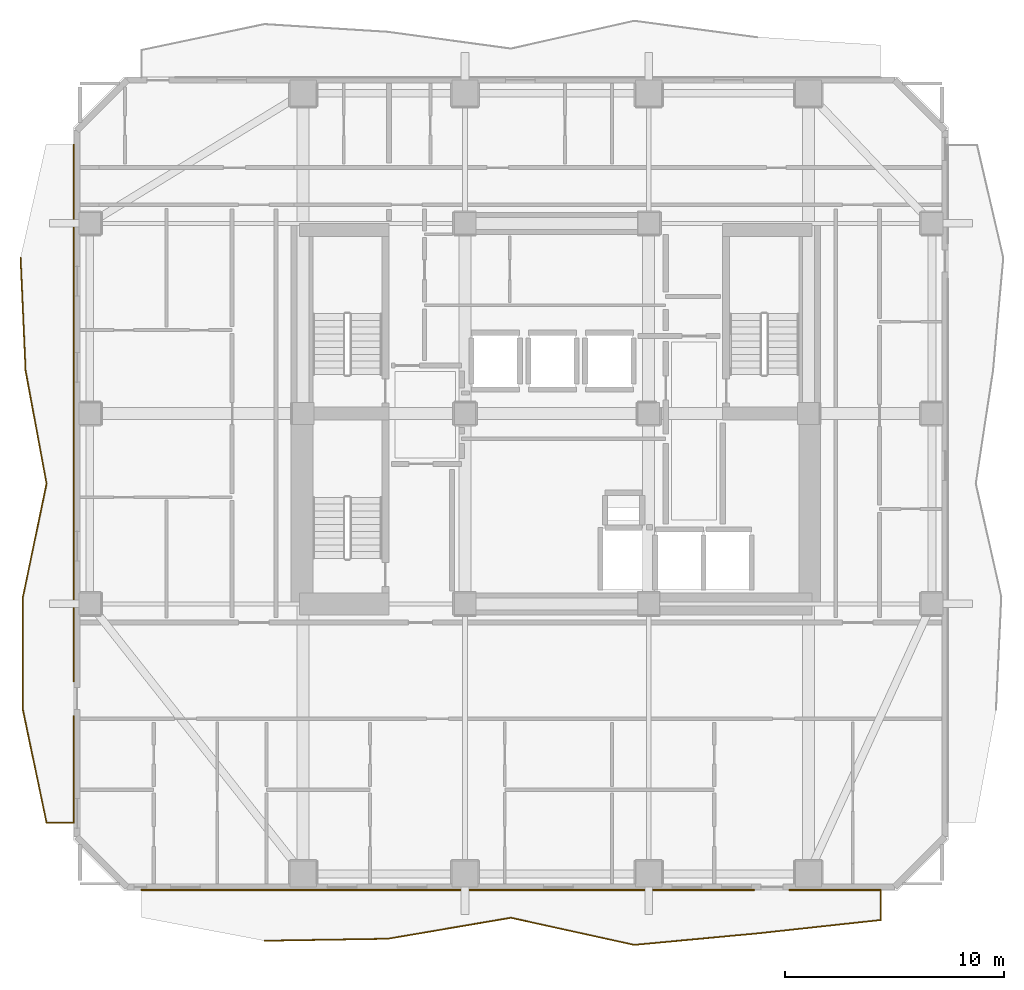
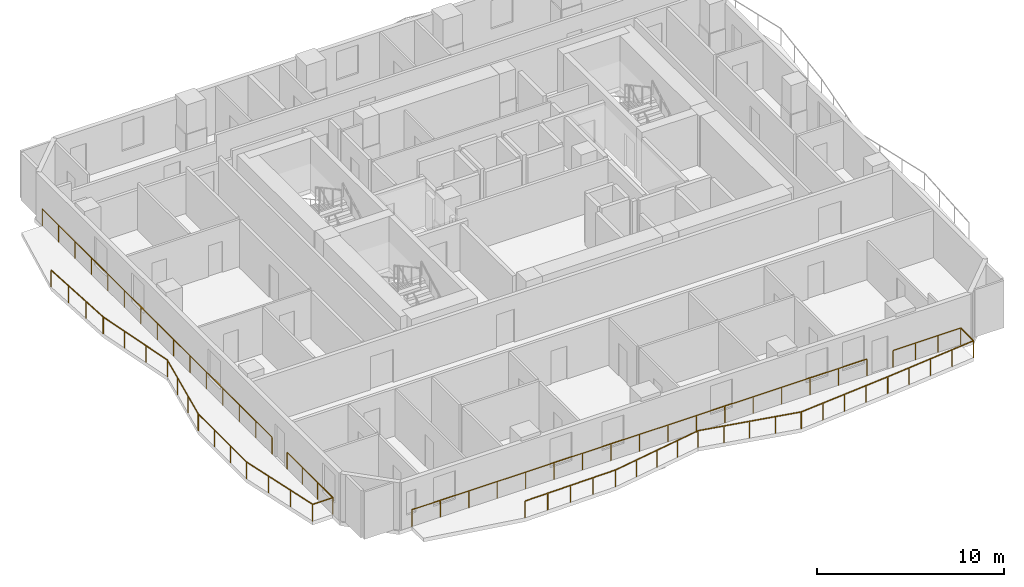
# One storey, part 8 of 11: 4 railings.
"""IFC4 building model written with IfcOpenShell, lengths in metres."""

from ifc_helpers import new_model, si_unit, direction, frame, origin, origin_2d, place, context, subcontext, project, spatial, rectangle, extrude, material, type_object, element, save


model = new_model("IFC4")

# Units and contexts
model_context = context("Model", 3, precision=1e-05, world=origin(), true_north=direction((0.0, 1.0)))
body_context = subcontext(model_context, "Body", "Model", "MODEL_VIEW")
ifc_project = project(units=[si_unit("LENGTHUNIT", "METRE"), si_unit("AREAUNIT", "SQUARE_METRE"), si_unit("VOLUMEUNIT", "CUBIC_METRE"), si_unit("PLANEANGLEUNIT", "RADIAN"), si_unit("MASSUNIT", "GRAM", prefix="KILO")], contexts=[model_context])

# Site, building, storey
site_placement = place(None, origin())
site = spatial("IfcSite", under=ifc_project, at=site_placement, CompositionType="ELEMENT")
building_placement = place(site_placement, origin())
building = spatial("IfcBuilding", under=site, at=building_placement, Name="Solanera Arch Residences", CompositionType="ELEMENT")
storey_placement = place(building_placement, frame((0.0, 0.0, 112.719970703125)))
storey = spatial("IfcBuildingStorey", under=building, at=storey_placement, Name="L32", CompositionType="ELEMENT", Elevation=112.719970703125)

# Railings
ifc_material = material(Name="Steel S355 (ASTM A992 / A572 Grade 50)", Category="steel")
railing_type = type_object("IfcRailingType", Name="Balustrade Railing BL-1100", PredefinedType="BALUSTRADE", material=ifc_material)
railing_1_placement = place(storey_placement, frame((11.633056640625, 6.596923828125, 0.0)))
element("IfcRailing", 1, at=railing_1_placement, inside=storey, type_object=railing_type, Name="L32 S Balcony Balustrade 1", PredefinedType="BALUSTRADE", context=body_context, shape_type="SweptSolid", body=[
    extrude(rectangle(XDim=0.048095703125, YDim=0.048095703125, at=origin_2d()), frame((0.0, 0.0, 1.09619140625), z_axis=(0.999869399788, 0.016161168528, 0.0), x_axis=(-0.016161168528, 0.999869399788, 0.0)), (0.0, 0.0, 1.0), 5.634765625),
    extrude(rectangle(XDim=0.048095703125, YDim=0.048095703125, at=origin_2d()), frame((5.634033203125, 0.091064453125, 1.09619140625), z_axis=(0.985786862703, 0.168000777746, 0.0), x_axis=(-0.168000777746, 0.985786862703, 0.0)), (0.0, 0.0, 1.0), 5.714111328125),
    extrude(rectangle(XDim=0.048095703125, YDim=0.048095703125, at=origin_2d()), frame((11.266845703125, 1.051025390625, 1.09619140625), z_axis=(0.976618346069, -0.214980478468, 0.0), x_axis=(0.214980478468, 0.976618346069, 0.0)), (0.0, 0.0, 1.0), 5.767822265625),
    extrude(rectangle(XDim=0.048095703125, YDim=0.048095703125, at=origin_2d()), frame((16.89990234375, -0.18896484375, 1.09619140625), z_axis=(0.995703991761, 0.092593524562, 0.0), x_axis=(-0.092593524562, 0.995703991761, 0.0)), (0.0, 0.0, 1.0), 5.658447265625),
    extrude(rectangle(XDim=0.048095703125, YDim=0.048095703125, at=origin_2d()), frame((22.533935546875, 0.3349609375, 1.09619140625), z_axis=(0.994130266811, 0.108189706582, 0.0), x_axis=(-0.108189706582, 0.994130266811, 0.0)), (0.0, 0.0, 1.0), 5.666259765625),
    extrude(rectangle(XDim=0.048095703125, YDim=0.048095703125, at=origin_2d()), frame((28.1669921875, 0.947998046875, 1.09619140625), z_axis=(0.0, 1.0, 0.0), x_axis=(-1.0, 0.0, 0.0)), (0.0, 0.0, 1.0), 1.375),
    extrude(rectangle(XDim=0.048095703125, YDim=0.048095703125, at=origin_2d()), frame((28.1669921875, 2.322998046875, 1.09619140625), z_axis=(-1.0, 0.0, 0.0), x_axis=(0.0, -1.0, 0.0)), (0.0, 0.0, 1.0), 4.1689453125),
    extrude(rectangle(XDim=0.0419921875, YDim=0.0419921875, at=origin_2d()), origin(), (0.0, 0.0, 1.0), 1.072021484375),
    extrude(rectangle(XDim=0.0419921875, YDim=0.0419921875, at=origin_2d()), frame((1.408447265625, 0.022705078125, 0.0)), (0.0, 0.0, 1.0), 1.072021484375),
    extrude(rectangle(XDim=0.0419921875, YDim=0.0419921875, at=origin_2d()), frame((2.81689453125, 0.04541015625, 0.0)), (0.0, 0.0, 1.0), 1.072021484375),
    extrude(rectangle(XDim=0.0419921875, YDim=0.0419921875, at=origin_2d()), frame((4.2255859375, 0.068359375, 0.0)), (0.0, 0.0, 1.0), 1.072021484375),
    extrude(rectangle(XDim=0.0419921875, YDim=0.0419921875, at=origin_2d()), frame((5.634033203125, 0.091064453125, 0.0)), (0.0, 0.0, 1.0), 1.072021484375),
    extrude(rectangle(XDim=0.0419921875, YDim=0.0419921875, at=origin_2d()), frame((7.042236328125, 0.3310546875, 0.0)), (0.0, 0.0, 1.0), 1.072021484375),
    extrude(rectangle(XDim=0.0419921875, YDim=0.0419921875, at=origin_2d()), frame((8.450439453125, 0.571044921875, 0.0)), (0.0, 0.0, 1.0), 1.072021484375),
    extrude(rectangle(XDim=0.0419921875, YDim=0.0419921875, at=origin_2d()), frame((9.858642578125, 0.81103515625, 0.0)), (0.0, 0.0, 1.0), 1.072021484375),
    extrude(rectangle(XDim=0.0419921875, YDim=0.0419921875, at=origin_2d()), frame((11.266845703125, 1.051025390625, 0.0)), (0.0, 0.0, 1.0), 1.072021484375),
    extrude(rectangle(XDim=0.0419921875, YDim=0.0419921875, at=origin_2d()), frame((12.675048828125, 0.740966796875, 0.0)), (0.0, 0.0, 1.0), 1.072021484375),
    extrude(rectangle(XDim=0.0419921875, YDim=0.0419921875, at=origin_2d()), frame((14.08349609375, 0.43115234375, 0.0)), (0.0, 0.0, 1.0), 1.072021484375),
    extrude(rectangle(XDim=0.0419921875, YDim=0.0419921875, at=origin_2d()), frame((15.49169921875, 0.12109375, 0.0)), (0.0, 0.0, 1.0), 1.072021484375),
    extrude(rectangle(XDim=0.0419921875, YDim=0.0419921875, at=origin_2d()), frame((16.89990234375, -0.18896484375, 0.0)), (0.0, 0.0, 1.0), 1.072021484375),
    extrude(rectangle(XDim=0.0419921875, YDim=0.0419921875, at=origin_2d()), frame((18.308349609375, -0.05810546875, 0.0)), (0.0, 0.0, 1.0), 1.072021484375),
    extrude(rectangle(XDim=0.0419921875, YDim=0.0419921875, at=origin_2d()), frame((19.716796875, 0.072998046875, 0.0)), (0.0, 0.0, 1.0), 1.072021484375),
    extrude(rectangle(XDim=0.0419921875, YDim=0.0419921875, at=origin_2d()), frame((21.12548828125, 0.2041015625, 0.0)), (0.0, 0.0, 1.0), 1.072021484375),
    extrude(rectangle(XDim=0.0419921875, YDim=0.0419921875, at=origin_2d()), frame((22.533935546875, 0.3349609375, 0.0)), (0.0, 0.0, 1.0), 1.072021484375),
    extrude(rectangle(XDim=0.0419921875, YDim=0.0419921875, at=origin_2d()), frame((23.942138671875, 0.48828125, 0.0)), (0.0, 0.0, 1.0), 1.072021484375),
    extrude(rectangle(XDim=0.0419921875, YDim=0.0419921875, at=origin_2d()), frame((25.3505859375, 0.6416015625, 0.0)), (0.0, 0.0, 1.0), 1.072021484375),
    extrude(rectangle(XDim=0.0419921875, YDim=0.0419921875, at=origin_2d()), frame((26.7587890625, 0.794677734375, 0.0)), (0.0, 0.0, 1.0), 1.072021484375),
    extrude(rectangle(XDim=0.0419921875, YDim=0.0419921875, at=origin_2d()), frame((28.1669921875, 0.947998046875, 0.0)), (0.0, 0.0, 1.0), 1.072021484375),
    extrude(rectangle(XDim=0.0419921875, YDim=0.0419921875, at=origin_2d()), frame((28.1669921875, 2.322998046875, 0.0)), (0.0, 0.0, 1.0), 1.072021484375),
    extrude(rectangle(XDim=0.0419921875, YDim=0.0419921875, at=origin_2d()), frame((26.77734375, 2.322998046875, 0.0)), (0.0, 0.0, 1.0), 1.072021484375),
    extrude(rectangle(XDim=0.0419921875, YDim=0.0419921875, at=origin_2d()), frame((25.3876953125, 2.322998046875, 0.0)), (0.0, 0.0, 1.0), 1.072021484375),
    extrude(rectangle(XDim=0.0419921875, YDim=0.0419921875, at=origin_2d()), frame((23.998046875, 2.322998046875, 0.0)), (0.0, 0.0, 1.0), 1.072021484375),
])
railing_2_placement = place(storey_placement, frame((34.031005859375, 8.919921875, 0.0)))
element("IfcRailing", 2, at=railing_2_placement, inside=storey, type_object=railing_type, Name="L32 S Balcony Balustrade 2", PredefinedType="BALUSTRADE", context=body_context, shape_type="SweptSolid", body=[
    extrude(rectangle(XDim=0.048095703125, YDim=0.048095703125, at=origin_2d()), frame((0.0, 0.0, 1.09619140625), z_axis=(-1.0, 0.0, 0.0), x_axis=(0.0, -1.0, 0.0)), (0.0, 0.0, 1.0), 28.031005859375),
    extrude(rectangle(XDim=0.0419921875, YDim=0.0419921875, at=origin_2d()), origin(), (0.0, 0.0, 1.0), 1.072021484375),
    extrude(rectangle(XDim=0.0419921875, YDim=0.0419921875, at=origin_2d()), frame((-1.751953125, 0.0, 0.0)), (0.0, 0.0, 1.0), 1.072021484375),
    extrude(rectangle(XDim=0.0419921875, YDim=0.0419921875, at=origin_2d()), frame((-3.50390625, 0.0, 0.0)), (0.0, 0.0, 1.0), 1.072021484375),
    extrude(rectangle(XDim=0.0419921875, YDim=0.0419921875, at=origin_2d()), frame((-5.255859375, 0.0, 0.0)), (0.0, 0.0, 1.0), 1.072021484375),
    extrude(rectangle(XDim=0.0419921875, YDim=0.0419921875, at=origin_2d()), frame((-7.0078125, 0.0, 0.0)), (0.0, 0.0, 1.0), 1.072021484375),
    extrude(rectangle(XDim=0.0419921875, YDim=0.0419921875, at=origin_2d()), frame((-8.759765625, 0.0, 0.0)), (0.0, 0.0, 1.0), 1.072021484375),
    extrude(rectangle(XDim=0.0419921875, YDim=0.0419921875, at=origin_2d()), frame((-10.51171875, 0.0, 0.0)), (0.0, 0.0, 1.0), 1.072021484375),
    extrude(rectangle(XDim=0.0419921875, YDim=0.0419921875, at=origin_2d()), frame((-12.263671875, 0.0, 0.0)), (0.0, 0.0, 1.0), 1.072021484375),
    extrude(rectangle(XDim=0.0419921875, YDim=0.0419921875, at=origin_2d()), frame((-14.015625, 0.0, 0.0)), (0.0, 0.0, 1.0), 1.072021484375),
    extrude(rectangle(XDim=0.0419921875, YDim=0.0419921875, at=origin_2d()), frame((-15.767333984375, 0.0, 0.0)), (0.0, 0.0, 1.0), 1.072021484375),
    extrude(rectangle(XDim=0.0419921875, YDim=0.0419921875, at=origin_2d()), frame((-17.519287109375, 0.0, 0.0)), (0.0, 0.0, 1.0), 1.072021484375),
    extrude(rectangle(XDim=0.0419921875, YDim=0.0419921875, at=origin_2d()), frame((-19.271240234375, 0.0, 0.0)), (0.0, 0.0, 1.0), 1.072021484375),
    extrude(rectangle(XDim=0.0419921875, YDim=0.0419921875, at=origin_2d()), frame((-21.023193359375, 0.0, 0.0)), (0.0, 0.0, 1.0), 1.072021484375),
    extrude(rectangle(XDim=0.0419921875, YDim=0.0419921875, at=origin_2d()), frame((-22.775146484375, 0.0, 0.0)), (0.0, 0.0, 1.0), 1.072021484375),
    extrude(rectangle(XDim=0.0419921875, YDim=0.0419921875, at=origin_2d()), frame((-24.527099609375, 0.0, 0.0)), (0.0, 0.0, 1.0), 1.072021484375),
    extrude(rectangle(XDim=0.0419921875, YDim=0.0419921875, at=origin_2d()), frame((-26.279052734375, 0.0, 0.0)), (0.0, 0.0, 1.0), 1.072021484375),
    extrude(rectangle(XDim=0.0419921875, YDim=0.0419921875, at=origin_2d()), frame((-28.031005859375, 0.0, 0.0)), (0.0, 0.0, 1.0), 1.072021484375),
])
railing_3_placement = place(storey_placement, frame((0.47802734375, 37.8330078125, 0.0)))
element("IfcRailing", 3, at=railing_3_placement, inside=storey, type_object=railing_type, Name="L32 W Balcony Balustrade 1", PredefinedType="BALUSTRADE", context=body_context, shape_type="SweptSolid", body=[
    extrude(rectangle(XDim=0.048095703125, YDim=0.048095703125, at=origin_2d()), frame((0.0, 0.0, 1.09619140625), z_axis=(0.044096949786, -0.999027256395, 0.0), x_axis=(0.999027256395, 0.044096949786, 0.0)), (0.0, 0.0, 1.0), 5.171142578125),
    extrude(rectangle(XDim=0.048095703125, YDim=0.048095703125, at=origin_2d()), frame((0.22802734375, -5.166015625, 1.09619140625), z_axis=(0.182841088729, -0.983142480148, 0.0), x_axis=(0.983142480148, 0.182841088729, 0.0)), (0.0, 0.0, 1.0), 5.255615234375),
    extrude(rectangle(XDim=0.048095703125, YDim=0.048095703125, at=origin_2d()), frame((1.18896484375, -10.3330078125, 1.09619140625), z_axis=(-0.204212840222, -0.978926511996, 0.0), x_axis=(0.978926511996, -0.204212840222, 0.0)), (0.0, 0.0, 1.0), 5.2783203125),
    extrude(rectangle(XDim=0.048095703125, YDim=0.048095703125, at=origin_2d()), frame((0.111083984375, -15.5, 1.09619140625), z_axis=(-0.001559544417, -0.99999878391, 0.0), x_axis=(0.99999878391, -0.001559544417, 0.0)), (0.0, 0.0, 1.0), 5.166015625),
    extrude(rectangle(XDim=0.048095703125, YDim=0.048095703125, at=origin_2d()), frame((0.10302734375, -20.666015625, 1.09619140625), z_axis=(0.205497747308, -0.978657588665, 0.0), x_axis=(0.978657588665, 0.205497747308, 0.0)), (0.0, 0.0, 1.0), 5.27978515625),
    extrude(rectangle(XDim=0.048095703125, YDim=0.048095703125, at=origin_2d()), frame((1.18798828125, -25.8330078125, 1.09619140625), z_axis=(1.0, 0.0, 0.0), x_axis=(0.0, 1.0, 0.0)), (0.0, 0.0, 1.0), 1.25390625),
    extrude(rectangle(XDim=0.048095703125, YDim=0.048095703125, at=origin_2d()), frame((2.44189453125, -25.8330078125, 1.09619140625), z_axis=(0.0, 1.0, 0.0), x_axis=(-1.0, 0.0, 0.0)), (0.0, 0.0, 1.0), 4.873046875),
    extrude(rectangle(XDim=0.0419921875, YDim=0.0419921875, at=origin_2d()), origin(), (0.0, 0.0, 1.0), 1.072021484375),
    extrude(rectangle(XDim=0.0419921875, YDim=0.0419921875, at=origin_2d()), frame((0.075927734375, -1.721923828125, 0.0)), (0.0, 0.0, 1.0), 1.072021484375),
    extrude(rectangle(XDim=0.0419921875, YDim=0.0419921875, at=origin_2d()), frame((0.152099609375, -3.444091796875, 0.0)), (0.0, 0.0, 1.0), 1.072021484375),
    extrude(rectangle(XDim=0.0419921875, YDim=0.0419921875, at=origin_2d()), frame((0.22802734375, -5.166015625, 0.0)), (0.0, 0.0, 1.0), 1.072021484375),
    extrude(rectangle(XDim=0.0419921875, YDim=0.0419921875, at=origin_2d()), frame((0.54833984375, -6.888427734375, 0.0)), (0.0, 0.0, 1.0), 1.072021484375),
    extrude(rectangle(XDim=0.0419921875, YDim=0.0419921875, at=origin_2d()), frame((0.86865234375, -8.610595703125, 0.0)), (0.0, 0.0, 1.0), 1.072021484375),
    extrude(rectangle(XDim=0.0419921875, YDim=0.0419921875, at=origin_2d()), frame((1.18896484375, -10.3330078125, 0.0)), (0.0, 0.0, 1.0), 1.072021484375),
    extrude(rectangle(XDim=0.0419921875, YDim=0.0419921875, at=origin_2d()), frame((0.82958984375, -12.055419921875, 0.0)), (0.0, 0.0, 1.0), 1.072021484375),
    extrude(rectangle(XDim=0.0419921875, YDim=0.0419921875, at=origin_2d()), frame((0.470458984375, -13.777587890625, 0.0)), (0.0, 0.0, 1.0), 1.072021484375),
    extrude(rectangle(XDim=0.0419921875, YDim=0.0419921875, at=origin_2d()), frame((0.111083984375, -15.5, 0.0)), (0.0, 0.0, 1.0), 1.072021484375),
    extrude(rectangle(XDim=0.0419921875, YDim=0.0419921875, at=origin_2d()), frame((0.1083984375, -17.221923828125, 0.0)), (0.0, 0.0, 1.0), 1.072021484375),
    extrude(rectangle(XDim=0.0419921875, YDim=0.0419921875, at=origin_2d()), frame((0.105712890625, -18.944091796875, 0.0)), (0.0, 0.0, 1.0), 1.072021484375),
    extrude(rectangle(XDim=0.0419921875, YDim=0.0419921875, at=origin_2d()), frame((0.10302734375, -20.666015625, 0.0)), (0.0, 0.0, 1.0), 1.072021484375),
    extrude(rectangle(XDim=0.0419921875, YDim=0.0419921875, at=origin_2d()), frame((0.464599609375, -22.388427734375, 0.0)), (0.0, 0.0, 1.0), 1.072021484375),
    extrude(rectangle(XDim=0.0419921875, YDim=0.0419921875, at=origin_2d()), frame((0.826416015625, -24.110595703125, 0.0)), (0.0, 0.0, 1.0), 1.072021484375),
    extrude(rectangle(XDim=0.0419921875, YDim=0.0419921875, at=origin_2d()), frame((1.18798828125, -25.8330078125, 0.0)), (0.0, 0.0, 1.0), 1.072021484375),
    extrude(rectangle(XDim=0.0419921875, YDim=0.0419921875, at=origin_2d()), frame((2.44189453125, -25.8330078125, 0.0)), (0.0, 0.0, 1.0), 1.072021484375),
    extrude(rectangle(XDim=0.0419921875, YDim=0.0419921875, at=origin_2d()), frame((2.44189453125, -24.208740234375, 0.0)), (0.0, 0.0, 1.0), 1.072021484375),
    extrude(rectangle(XDim=0.0419921875, YDim=0.0419921875, at=origin_2d()), frame((2.44189453125, -22.584228515625, 0.0)), (0.0, 0.0, 1.0), 1.072021484375),
    extrude(rectangle(XDim=0.0419921875, YDim=0.0419921875, at=origin_2d()), frame((2.44189453125, -20.9599609375, 0.0)), (0.0, 0.0, 1.0), 1.072021484375),
])
railing_4_placement = place(storey_placement, frame((2.919921875, 18.472900390625, 0.0)))
element("IfcRailing", 4, at=railing_4_placement, inside=storey, type_object=railing_type, Name="L32 W Balcony Balustrade 2", PredefinedType="BALUSTRADE", context=body_context, shape_type="SweptSolid", body=[
    extrude(rectangle(XDim=0.048095703125, YDim=0.048095703125, at=origin_2d()), frame((0.0, 0.0, 1.09619140625), z_axis=(0.0, 1.0, 0.0), x_axis=(-1.0, 0.0, 0.0)), (0.0, 0.0, 1.0), 24.527099609375),
    extrude(rectangle(XDim=0.0419921875, YDim=0.0419921875, at=origin_2d()), origin(), (0.0, 0.0, 1.0), 1.072021484375),
    extrude(rectangle(XDim=0.0419921875, YDim=0.0419921875, at=origin_2d()), frame((0.0, 1.751953125, 0.0)), (0.0, 0.0, 1.0), 1.072021484375),
    extrude(rectangle(XDim=0.0419921875, YDim=0.0419921875, at=origin_2d()), frame((0.0, 3.50390625, 0.0)), (0.0, 0.0, 1.0), 1.072021484375),
    extrude(rectangle(XDim=0.0419921875, YDim=0.0419921875, at=origin_2d()), frame((0.0, 5.255859375, 0.0)), (0.0, 0.0, 1.0), 1.072021484375),
    extrude(rectangle(XDim=0.0419921875, YDim=0.0419921875, at=origin_2d()), frame((0.0, 7.0078125, 0.0)), (0.0, 0.0, 1.0), 1.072021484375),
    extrude(rectangle(XDim=0.0419921875, YDim=0.0419921875, at=origin_2d()), frame((0.0, 8.759765625, 0.0)), (0.0, 0.0, 1.0), 1.072021484375),
    extrude(rectangle(XDim=0.0419921875, YDim=0.0419921875, at=origin_2d()), frame((0.0, 10.51171875, 0.0)), (0.0, 0.0, 1.0), 1.072021484375),
    extrude(rectangle(XDim=0.0419921875, YDim=0.0419921875, at=origin_2d()), frame((0.0, 12.263671875, 0.0)), (0.0, 0.0, 1.0), 1.072021484375),
    extrude(rectangle(XDim=0.0419921875, YDim=0.0419921875, at=origin_2d()), frame((0.0, 14.015380859375, 0.0)), (0.0, 0.0, 1.0), 1.072021484375),
    extrude(rectangle(XDim=0.0419921875, YDim=0.0419921875, at=origin_2d()), frame((0.0, 15.767333984375, 0.0)), (0.0, 0.0, 1.0), 1.072021484375),
    extrude(rectangle(XDim=0.0419921875, YDim=0.0419921875, at=origin_2d()), frame((0.0, 17.519287109375, 0.0)), (0.0, 0.0, 1.0), 1.072021484375),
    extrude(rectangle(XDim=0.0419921875, YDim=0.0419921875, at=origin_2d()), frame((0.0, 19.271240234375, 0.0)), (0.0, 0.0, 1.0), 1.072021484375),
    extrude(rectangle(XDim=0.0419921875, YDim=0.0419921875, at=origin_2d()), frame((0.0, 21.023193359375, 0.0)), (0.0, 0.0, 1.0), 1.072021484375),
    extrude(rectangle(XDim=0.0419921875, YDim=0.0419921875, at=origin_2d()), frame((0.0, 22.775146484375, 0.0)), (0.0, 0.0, 1.0), 1.072021484375),
    extrude(rectangle(XDim=0.0419921875, YDim=0.0419921875, at=origin_2d()), frame((0.0, 24.527099609375, 0.0)), (0.0, 0.0, 1.0), 1.072021484375),
])

save(model, "model.ifc")
